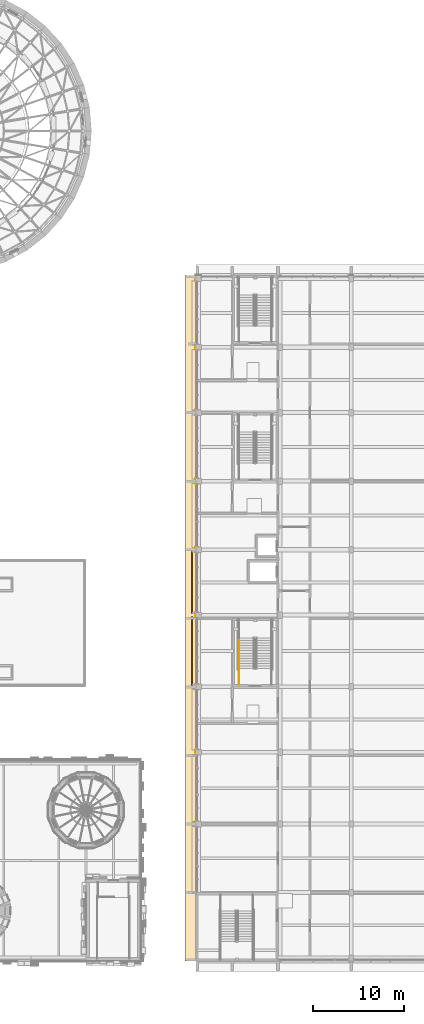
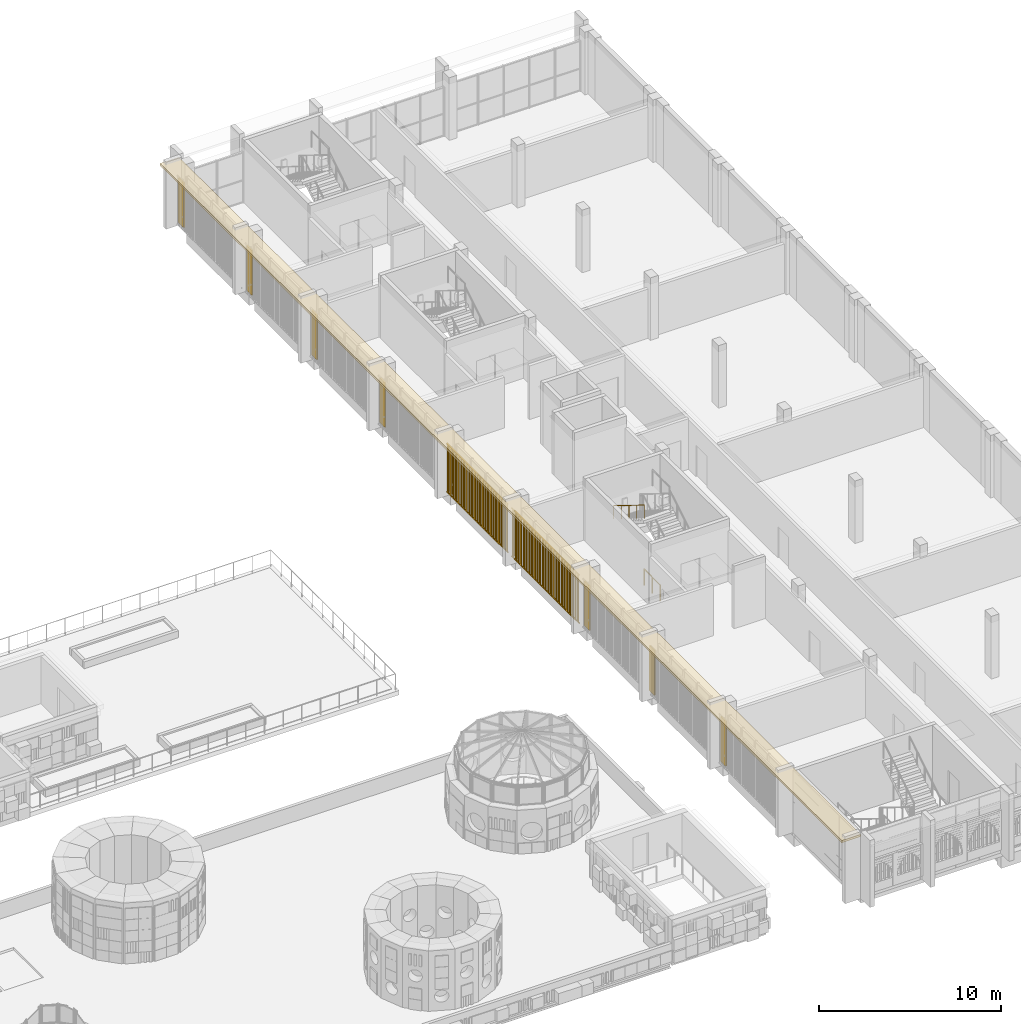
# One storey, part 92 of 98: 2 coverings, 2 railings, 2 shading devices.
"""IFC4 building model written with IfcOpenShell, lengths in metres."""

from ifc_helpers import new_model, si_unit, direction, frame, origin, origin_2d, place, context, subcontext, project, spatial, polyline, rectangle, circle, outline, extrude, material, layer, layer_set, type_object, element, save


model = new_model("IFC4")

# Units and contexts
model_context = context("Model", 3, precision=1e-05, world=origin(), true_north=direction((0.0, 1.0)))
body_context = subcontext(model_context, "Body", "Model", "MODEL_VIEW")
ifc_project = project(units=[si_unit("LENGTHUNIT", "METRE"), si_unit("AREAUNIT", "SQUARE_METRE"), si_unit("VOLUMEUNIT", "CUBIC_METRE"), si_unit("PLANEANGLEUNIT", "RADIAN"), si_unit("MASSUNIT", "GRAM", prefix="KILO")], contexts=[model_context])

# Site, building, storey
site_placement = place(None, origin())
site = spatial("IfcSite", under=ifc_project, at=site_placement, CompositionType="ELEMENT")
building_placement = place(site_placement, origin())
building = spatial("IfcBuilding", under=site, at=building_placement, Name="Sun Court Science Centre", CompositionType="ELEMENT")
storey_placement = place(building_placement, frame((0.0, 0.0, 15.75)))
storey = spatial("IfcBuildingStorey", under=building, at=storey_placement, Name="L03", CompositionType="ELEMENT", Elevation=15.75)

# Railings
ifc_material_1 = material(Name="Steel S275", Category="steel")
railing_type_1 = type_object("IfcRailingType", Name="Guard 1100 steel balustrade", PredefinedType="GUARDRAIL", material=ifc_material_1)
railing_1_placement = place(storey_placement, frame((82.72705078125, 36.25, 0.0)))
element("IfcRailing", 1, at=railing_1_placement, inside=storey, type_object=railing_type_1, Name="L03 SL2 stair guard 8", PredefinedType="GUARDRAIL", context=body_context, shape_type="SweptSolid", body=[
    extrude(circle(Radius=0.02392578125, at=origin_2d()), frame((0.0, 0.0, 1.076171875), z_axis=(0.0, 1.0, 0.0), x_axis=(-1.0, 0.0, 0.0)), (0.0, 0.0, 1.0), 1.748046875),
    extrude(circle(Radius=0.02099609375, at=origin_2d()), origin(), (0.0, 0.0, 1.0), 1.052001953125),
    extrude(circle(Radius=0.02099609375, at=origin_2d()), frame((0.0, 0.8740234375, 0.0)), (0.0, 0.0, 1.0), 1.052001953125),
    extrude(circle(Radius=0.02099609375, at=origin_2d()), frame((0.0, 1.748046875, 0.0)), (0.0, 0.0, 1.0), 1.052001953125),
])
ifc_material_2 = material(Name="Stainless steel", Category="steel")
railing_type_2 = type_object("IfcRailingType", Name="Handrail 900 stainless", PredefinedType="HANDRAIL", material=ifc_material_2)
railing_2_placement = place(storey_placement, frame((82.72705078125, 41.35791015625, 2.423095703125)))
element("IfcRailing", 2, at=railing_2_placement, inside=storey, type_object=railing_type_2, Name="L03 SL2 stair handrail 2", PredefinedType="HANDRAIL", context=body_context, shape_type="SweptSolid", body=[
    extrude(circle(Radius=0.02392578125, at=origin_2d()), frame((0.0, 0.0, 0.8759765625), z_axis=(0.0, -0.850606129759, 0.525803396734), x_axis=(1.0, 0.0, 0.0)), (0.0, 0.0, 1.0), 3.949951171875),
    extrude(circle(Radius=0.02099609375, at=origin_2d()), origin(), (0.0, 0.0, 1.0), 0.851806640625),
    extrude(circle(Radius=0.02099609375, at=origin_2d()), frame((0.0, -0.83984375, 0.519287109375)), (0.0, 0.0, 1.0), 0.851806640625),
    extrude(circle(Radius=0.02099609375, at=origin_2d()), frame((0.0, -1.679931640625, 1.03857421875)), (0.0, 0.0, 1.0), 0.851806640625),
    extrude(circle(Radius=0.02099609375, at=origin_2d()), frame((0.0, -2.52001953125, 1.5576171875)), (0.0, 0.0, 1.0), 0.851806640625),
    extrude(circle(Radius=0.02099609375, at=origin_2d()), frame((0.0, -3.35986328125, 2.076904296875)), (0.0, 0.0, 1.0), 0.851806640625),
])

# Shading devices
ifc_material_3 = material(Name="Red sandstone", Category="masonry")
ifc_layer_1 = layer(ifc_material_3, 0.06005859375)
ifc_layer_set_1 = layer_set([ifc_layer_1], Name="Red sandstone")
shading_device_type = type_object("IfcShadingDeviceType", Name="Jali screen, sandstone", PredefinedType="USERDEFINED", material=ifc_layer_set_1)
shading_device_1_placement = place(storey_placement, frame((0.0, 0.0, -15.75)))
element("IfcShadingDevice", 3, at=shading_device_1_placement, inside=storey, type_object=shading_device_type, Name="Jali screen west face L03 04", ObjectType="JALI SCREEN", PredefinedType="USERDEFINED", context=body_context, shape_type="SweptSolid", body=[
    extrude(rectangle(XDim=0.1201171875, YDim=0.06005859375, at=origin_2d()), frame((77.570068359375, 36.34912109375, 16.08984375), z_axis=(0.0, 0.0, 1.0), x_axis=(0.0, 1.0, 0.0)), (0.0, 0.0, 1.0), 3.219970703125),
    extrude(rectangle(XDim=0.1201171875, YDim=0.06005859375, at=origin_2d()), frame((77.570068359375, 36.64697265625, 16.08984375), z_axis=(0.0, 0.0, 1.0), x_axis=(0.0, 1.0, 0.0)), (0.0, 0.0, 1.0), 3.219970703125),
    extrude(rectangle(XDim=0.1201171875, YDim=0.06005859375, at=origin_2d()), frame((77.570068359375, 36.945068359375, 16.08984375), z_axis=(0.0, 0.0, 1.0), x_axis=(0.0, 1.0, 0.0)), (0.0, 0.0, 1.0), 3.219970703125),
    extrude(rectangle(XDim=0.1201171875, YDim=0.06005859375, at=origin_2d()), frame((77.570068359375, 37.242919921875, 16.08984375), z_axis=(0.0, 0.0, 1.0), x_axis=(0.0, 1.0, 0.0)), (0.0, 0.0, 1.0), 3.219970703125),
    extrude(rectangle(XDim=0.1201171875, YDim=0.06005859375, at=origin_2d()), frame((77.570068359375, 37.541015625, 16.08984375), z_axis=(0.0, 0.0, 1.0), x_axis=(0.0, 1.0, 0.0)), (0.0, 0.0, 1.0), 3.219970703125),
    extrude(rectangle(XDim=0.1201171875, YDim=0.06005859375, at=origin_2d()), frame((77.570068359375, 37.839111328125, 16.08984375), z_axis=(0.0, 0.0, 1.0), x_axis=(0.0, 1.0, 0.0)), (0.0, 0.0, 1.0), 3.219970703125),
    extrude(rectangle(XDim=0.1201171875, YDim=0.06005859375, at=origin_2d()), frame((77.570068359375, 38.136962890625, 16.08984375), z_axis=(0.0, 0.0, 1.0), x_axis=(0.0, 1.0, 0.0)), (0.0, 0.0, 1.0), 3.219970703125),
    extrude(rectangle(XDim=0.1201171875, YDim=0.06005859375, at=origin_2d()), frame((77.570068359375, 38.43505859375, 16.08984375), z_axis=(0.0, 0.0, 1.0), x_axis=(0.0, 1.0, 0.0)), (0.0, 0.0, 1.0), 3.219970703125),
    extrude(rectangle(XDim=0.1201171875, YDim=0.06005859375, at=origin_2d()), frame((77.570068359375, 38.73291015625, 16.08984375), z_axis=(0.0, 0.0, 1.0), x_axis=(0.0, 1.0, 0.0)), (0.0, 0.0, 1.0), 3.219970703125),
    extrude(rectangle(XDim=0.1201171875, YDim=0.06005859375, at=origin_2d()), frame((77.570068359375, 39.031005859375, 16.08984375), z_axis=(0.0, 0.0, 1.0), x_axis=(0.0, 1.0, 0.0)), (0.0, 0.0, 1.0), 3.219970703125),
    extrude(rectangle(XDim=0.1201171875, YDim=0.06005859375, at=origin_2d()), frame((77.570068359375, 39.3291015625, 16.08984375), z_axis=(0.0, 0.0, 1.0), x_axis=(0.0, 1.0, 0.0)), (0.0, 0.0, 1.0), 3.219970703125),
    extrude(rectangle(XDim=0.1201171875, YDim=0.06005859375, at=origin_2d()), frame((77.570068359375, 39.626953125, 16.08984375), z_axis=(0.0, 0.0, 1.0), x_axis=(0.0, 1.0, 0.0)), (0.0, 0.0, 1.0), 3.219970703125),
    extrude(rectangle(XDim=0.1201171875, YDim=0.06005859375, at=origin_2d()), frame((77.570068359375, 39.925048828125, 16.08984375), z_axis=(0.0, 0.0, 1.0), x_axis=(0.0, 1.0, 0.0)), (0.0, 0.0, 1.0), 3.219970703125),
    extrude(rectangle(XDim=0.1201171875, YDim=0.06005859375, at=origin_2d()), frame((77.570068359375, 40.222900390625, 16.08984375), z_axis=(0.0, 0.0, 1.0), x_axis=(0.0, 1.0, 0.0)), (0.0, 0.0, 1.0), 3.219970703125),
    extrude(rectangle(XDim=0.1201171875, YDim=0.06005859375, at=origin_2d()), frame((77.570068359375, 40.52099609375, 16.08984375), z_axis=(0.0, 0.0, 1.0), x_axis=(0.0, 1.0, 0.0)), (0.0, 0.0, 1.0), 3.219970703125),
    extrude(rectangle(XDim=0.1201171875, YDim=0.06005859375, at=origin_2d()), frame((77.570068359375, 40.819091796875, 16.08984375), z_axis=(0.0, 0.0, 1.0), x_axis=(0.0, 1.0, 0.0)), (0.0, 0.0, 1.0), 3.219970703125),
    extrude(rectangle(XDim=0.1201171875, YDim=0.06005859375, at=origin_2d()), frame((77.570068359375, 41.116943359375, 16.08984375), z_axis=(0.0, 0.0, 1.0), x_axis=(0.0, 1.0, 0.0)), (0.0, 0.0, 1.0), 3.219970703125),
    extrude(rectangle(XDim=0.1201171875, YDim=0.06005859375, at=origin_2d()), frame((77.570068359375, 41.4150390625, 16.08984375), z_axis=(0.0, 0.0, 1.0), x_axis=(0.0, 1.0, 0.0)), (0.0, 0.0, 1.0), 3.219970703125),
    extrude(rectangle(XDim=0.1201171875, YDim=0.06005859375, at=origin_2d()), frame((77.570068359375, 41.712890625, 16.08984375), z_axis=(0.0, 0.0, 1.0), x_axis=(0.0, 1.0, 0.0)), (0.0, 0.0, 1.0), 3.219970703125),
    extrude(rectangle(XDim=0.1201171875, YDim=0.06005859375, at=origin_2d()), frame((77.570068359375, 42.010986328125, 16.08984375), z_axis=(0.0, 0.0, 1.0), x_axis=(0.0, 1.0, 0.0)), (0.0, 0.0, 1.0), 3.219970703125),
    extrude(rectangle(XDim=0.1201171875, YDim=0.06005859375, at=origin_2d()), frame((77.570068359375, 42.30908203125, 16.08984375), z_axis=(0.0, 0.0, 1.0), x_axis=(0.0, 1.0, 0.0)), (0.0, 0.0, 1.0), 3.219970703125),
    extrude(rectangle(XDim=0.1201171875, YDim=0.06005859375, at=origin_2d()), frame((77.570068359375, 42.60693359375, 16.08984375), z_axis=(0.0, 0.0, 1.0), x_axis=(0.0, 1.0, 0.0)), (0.0, 0.0, 1.0), 3.219970703125),
    extrude(rectangle(XDim=0.1201171875, YDim=0.06005859375, at=origin_2d()), frame((77.570068359375, 42.905029296875, 16.08984375), z_axis=(0.0, 0.0, 1.0), x_axis=(0.0, 1.0, 0.0)), (0.0, 0.0, 1.0), 3.219970703125),
    extrude(rectangle(XDim=0.1201171875, YDim=0.06005859375, at=origin_2d()), frame((77.570068359375, 43.202880859375, 16.08984375), z_axis=(0.0, 0.0, 1.0), x_axis=(0.0, 1.0, 0.0)), (0.0, 0.0, 1.0), 3.219970703125),
    extrude(rectangle(XDim=0.1201171875, YDim=0.06005859375, at=origin_2d()), frame((77.570068359375, 43.5009765625, 16.08984375), z_axis=(0.0, 0.0, 1.0), x_axis=(0.0, 1.0, 0.0)), (0.0, 0.0, 1.0), 3.219970703125),
    extrude(rectangle(XDim=7.449951171875, YDim=0.06005859375, at=origin_2d()), frame((77.570068359375, 39.925048828125, 16.050048828125), z_axis=(0.0, 0.0, 1.0), x_axis=(0.0, 1.0, 0.0)), (0.0, 0.0, 1.0), 0.06005859375),
    extrude(rectangle(XDim=7.449951171875, YDim=0.06005859375, at=origin_2d()), frame((77.570068359375, 39.925048828125, 19.2900390625), z_axis=(0.0, 0.0, 1.0), x_axis=(0.0, 1.0, 0.0)), (0.0, 0.0, 1.0), 0.06005859375),
])
shading_device_2_placement = place(storey_placement, frame((0.0, 0.0, -15.75)))
element("IfcShadingDevice", 4, at=shading_device_2_placement, inside=storey, type_object=shading_device_type, Name="Jali screen west face L03 05", ObjectType="JALI SCREEN", PredefinedType="USERDEFINED", context=body_context, shape_type="SweptSolid", body=[
    extrude(rectangle(XDim=0.1201171875, YDim=0.06005859375, at=origin_2d()), frame((77.570068359375, 44.19677734375, 16.08984375), z_axis=(0.0, 0.0, 1.0), x_axis=(0.0, 1.0, 0.0)), (0.0, 0.0, 1.0), 3.219970703125),
    extrude(rectangle(XDim=0.1201171875, YDim=0.06005859375, at=origin_2d()), frame((77.570068359375, 44.490234375, 16.08984375), z_axis=(0.0, 0.0, 1.0), x_axis=(0.0, 1.0, 0.0)), (0.0, 0.0, 1.0), 3.219970703125),
    extrude(rectangle(XDim=0.1201171875, YDim=0.06005859375, at=origin_2d()), frame((77.570068359375, 44.78369140625, 16.08984375), z_axis=(0.0, 0.0, 1.0), x_axis=(0.0, 1.0, 0.0)), (0.0, 0.0, 1.0), 3.219970703125),
    extrude(rectangle(XDim=0.1201171875, YDim=0.06005859375, at=origin_2d()), frame((77.570068359375, 45.0771484375, 16.08984375), z_axis=(0.0, 0.0, 1.0), x_axis=(0.0, 1.0, 0.0)), (0.0, 0.0, 1.0), 3.219970703125),
    extrude(rectangle(XDim=0.1201171875, YDim=0.06005859375, at=origin_2d()), frame((77.570068359375, 45.37060546875, 16.08984375), z_axis=(0.0, 0.0, 1.0), x_axis=(0.0, 1.0, 0.0)), (0.0, 0.0, 1.0), 3.219970703125),
    extrude(rectangle(XDim=0.1201171875, YDim=0.06005859375, at=origin_2d()), frame((77.570068359375, 45.6640625, 16.08984375), z_axis=(0.0, 0.0, 1.0), x_axis=(0.0, 1.0, 0.0)), (0.0, 0.0, 1.0), 3.219970703125),
    extrude(rectangle(XDim=0.1201171875, YDim=0.06005859375, at=origin_2d()), frame((77.570068359375, 45.95751953125, 16.08984375), z_axis=(0.0, 0.0, 1.0), x_axis=(0.0, 1.0, 0.0)), (0.0, 0.0, 1.0), 3.219970703125),
    extrude(rectangle(XDim=0.1201171875, YDim=0.06005859375, at=origin_2d()), frame((77.570068359375, 46.2509765625, 16.08984375), z_axis=(0.0, 0.0, 1.0), x_axis=(0.0, 1.0, 0.0)), (0.0, 0.0, 1.0), 3.219970703125),
    extrude(rectangle(XDim=0.1201171875, YDim=0.06005859375, at=origin_2d()), frame((77.570068359375, 46.544677734375, 16.08984375), z_axis=(0.0, 0.0, 1.0), x_axis=(0.0, 1.0, 0.0)), (0.0, 0.0, 1.0), 3.219970703125),
    extrude(rectangle(XDim=0.1201171875, YDim=0.06005859375, at=origin_2d()), frame((77.570068359375, 46.838134765625, 16.08984375), z_axis=(0.0, 0.0, 1.0), x_axis=(0.0, 1.0, 0.0)), (0.0, 0.0, 1.0), 3.219970703125),
    extrude(rectangle(XDim=0.1201171875, YDim=0.06005859375, at=origin_2d()), frame((77.570068359375, 47.131591796875, 16.08984375), z_axis=(0.0, 0.0, 1.0), x_axis=(0.0, 1.0, 0.0)), (0.0, 0.0, 1.0), 3.219970703125),
    extrude(rectangle(XDim=0.1201171875, YDim=0.06005859375, at=origin_2d()), frame((77.570068359375, 47.425048828125, 16.08984375), z_axis=(0.0, 0.0, 1.0), x_axis=(0.0, 1.0, 0.0)), (0.0, 0.0, 1.0), 3.219970703125),
    extrude(rectangle(XDim=0.1201171875, YDim=0.06005859375, at=origin_2d()), frame((77.570068359375, 47.718505859375, 16.08984375), z_axis=(0.0, 0.0, 1.0), x_axis=(0.0, 1.0, 0.0)), (0.0, 0.0, 1.0), 3.219970703125),
    extrude(rectangle(XDim=0.1201171875, YDim=0.06005859375, at=origin_2d()), frame((77.570068359375, 48.011962890625, 16.08984375), z_axis=(0.0, 0.0, 1.0), x_axis=(0.0, 1.0, 0.0)), (0.0, 0.0, 1.0), 3.219970703125),
    extrude(rectangle(XDim=0.1201171875, YDim=0.06005859375, at=origin_2d()), frame((77.570068359375, 48.305419921875, 16.08984375), z_axis=(0.0, 0.0, 1.0), x_axis=(0.0, 1.0, 0.0)), (0.0, 0.0, 1.0), 3.219970703125),
    extrude(rectangle(XDim=0.1201171875, YDim=0.06005859375, at=origin_2d()), frame((77.570068359375, 48.598876953125, 16.08984375), z_axis=(0.0, 0.0, 1.0), x_axis=(0.0, 1.0, 0.0)), (0.0, 0.0, 1.0), 3.219970703125),
    extrude(rectangle(XDim=0.1201171875, YDim=0.06005859375, at=origin_2d()), frame((77.570068359375, 48.892333984375, 16.08984375), z_axis=(0.0, 0.0, 1.0), x_axis=(0.0, 1.0, 0.0)), (0.0, 0.0, 1.0), 3.219970703125),
    extrude(rectangle(XDim=0.1201171875, YDim=0.06005859375, at=origin_2d()), frame((77.570068359375, 49.185791015625, 16.08984375), z_axis=(0.0, 0.0, 1.0), x_axis=(0.0, 1.0, 0.0)), (0.0, 0.0, 1.0), 3.219970703125),
    extrude(rectangle(XDim=0.1201171875, YDim=0.06005859375, at=origin_2d()), frame((77.570068359375, 49.479248046875, 16.08984375), z_axis=(0.0, 0.0, 1.0), x_axis=(0.0, 1.0, 0.0)), (0.0, 0.0, 1.0), 3.219970703125),
    extrude(rectangle(XDim=0.1201171875, YDim=0.06005859375, at=origin_2d()), frame((77.570068359375, 49.772705078125, 16.08984375), z_axis=(0.0, 0.0, 1.0), x_axis=(0.0, 1.0, 0.0)), (0.0, 0.0, 1.0), 3.219970703125),
    extrude(rectangle(XDim=0.1201171875, YDim=0.06005859375, at=origin_2d()), frame((77.570068359375, 50.06640625, 16.08984375), z_axis=(0.0, 0.0, 1.0), x_axis=(0.0, 1.0, 0.0)), (0.0, 0.0, 1.0), 3.219970703125),
    extrude(rectangle(XDim=0.1201171875, YDim=0.06005859375, at=origin_2d()), frame((77.570068359375, 50.35986328125, 16.08984375), z_axis=(0.0, 0.0, 1.0), x_axis=(0.0, 1.0, 0.0)), (0.0, 0.0, 1.0), 3.219970703125),
    extrude(rectangle(XDim=0.1201171875, YDim=0.06005859375, at=origin_2d()), frame((77.570068359375, 50.6533203125, 16.08984375), z_axis=(0.0, 0.0, 1.0), x_axis=(0.0, 1.0, 0.0)), (0.0, 0.0, 1.0), 3.219970703125),
    extrude(rectangle(XDim=6.75, YDim=0.06005859375, at=origin_2d()), frame((77.570068359375, 47.425048828125, 16.050048828125), z_axis=(0.0, 0.0, 1.0), x_axis=(0.0, 1.0, 0.0)), (0.0, 0.0, 1.0), 0.06005859375),
    extrude(rectangle(XDim=6.75, YDim=0.06005859375, at=origin_2d()), frame((77.570068359375, 47.425048828125, 19.2900390625), z_axis=(0.0, 0.0, 1.0), x_axis=(0.0, 1.0, 0.0)), (0.0, 0.0, 1.0), 0.06005859375),
])

# Coverings
ifc_material_4 = material(Name="Red sandstone", Category="masonry")
ifc_layer_2 = layer(ifc_material_4, 0.080078125)
ifc_layer_set_2 = layer_set([ifc_layer_2], Name="Red sandstone")
covering_type_1 = type_object("IfcCoveringType", Name="Red sandstone pier cladding", PredefinedType="CLADDING", material=ifc_layer_set_2)
covering_1_placement = place(storey_placement, frame((0.0, 0.0, -15.75)))
element("IfcCovering", 5, at=covering_1_placement, inside=storey, type_object=covering_type_1, Name="Red sandstone pier cladding west face L03", PredefinedType="CLADDING", context=body_context, shape_type="SweptSolid", body=[
    extrude(rectangle(XDim=0.60009765625, YDim=0.080078125, at=origin_2d()), frame((77.9599609375, 21.0, 15.75), z_axis=(0.0, 0.0, 1.0), x_axis=(0.0, 1.0, 0.0)), (0.0, 0.0, 1.0), 3.0),
    extrude(rectangle(XDim=0.60009765625, YDim=0.080078125, at=origin_2d()), frame((77.9599609375, 28.85009765625, 15.75), z_axis=(0.0, 0.0, 1.0), x_axis=(0.0, 1.0, 0.0)), (0.0, 0.0, 1.0), 3.0),
    extrude(rectangle(XDim=0.60009765625, YDim=0.080078125, at=origin_2d()), frame((77.9599609375, 36.0, 15.75), z_axis=(0.0, 0.0, 1.0), x_axis=(0.0, 1.0, 0.0)), (0.0, 0.0, 1.0), 3.0),
    extrude(rectangle(XDim=0.60009765625, YDim=0.080078125, at=origin_2d()), frame((77.9599609375, 43.85009765625, 15.75), z_axis=(0.0, 0.0, 1.0), x_axis=(0.0, 1.0, 0.0)), (0.0, 0.0, 1.0), 3.0),
    extrude(rectangle(XDim=0.60009765625, YDim=0.080078125, at=origin_2d()), frame((77.9599609375, 51.0, 15.75), z_axis=(0.0, 0.0, 1.0), x_axis=(0.0, 1.0, 0.0)), (0.0, 0.0, 1.0), 3.0),
    extrude(rectangle(XDim=0.60009765625, YDim=0.080078125, at=origin_2d()), frame((77.9599609375, 58.5, 15.75), z_axis=(0.0, 0.0, 1.0), x_axis=(0.0, 1.0, 0.0)), (0.0, 0.0, 1.0), 3.0),
    extrude(rectangle(XDim=0.60009765625, YDim=0.080078125, at=origin_2d()), frame((77.9599609375, 66.0, 15.75), z_axis=(0.0, 0.0, 1.0), x_axis=(0.0, 1.0, 0.0)), (0.0, 0.0, 1.0), 3.0),
    extrude(rectangle(XDim=0.60009765625, YDim=0.080078125, at=origin_2d()), frame((77.9599609375, 73.14990234375, 15.75), z_axis=(0.0, 0.0, 1.0), x_axis=(0.0, 1.0, 0.0)), (0.0, 0.0, 1.0), 3.0),
    extrude(rectangle(XDim=0.60009765625, YDim=0.080078125, at=origin_2d()), frame((77.9599609375, 80.64990234375, 15.75), z_axis=(0.0, 0.0, 1.0), x_axis=(0.0, 1.0, 0.0)), (0.0, 0.0, 1.0), 3.0),
])
ifc_material_5 = material(Name="Red sandstone", Category="masonry")
ifc_layer_3 = layer(ifc_material_5, 0.14990234375)
ifc_layer_set_3 = layer_set([ifc_layer_3], Name="Red sandstone")
covering_type_2 = type_object("IfcCoveringType", Name="Sandstone chhajja eave 1200", PredefinedType="CLADDING", material=ifc_layer_set_3)
covering_2_placement = place(storey_placement, frame((0.0, 0.0, 4.169921875)))
element("IfcCovering", 6, at=covering_2_placement, inside=storey, type_object=covering_type_2, Name="Chhajja eave west court face L03", PredefinedType="CLADDING", context=body_context, shape_type="SweptSolid", body=[
    extrude(outline(polyline([(76.800048828125, 6.0), (78.0, 6.0), (78.0, 81.0), (76.800048828125, 81.0), (76.800048828125, 6.0)])), origin(), (0.0, 0.0, 1.0), 0.150146484375),
])

save(model, "model.ifc")
